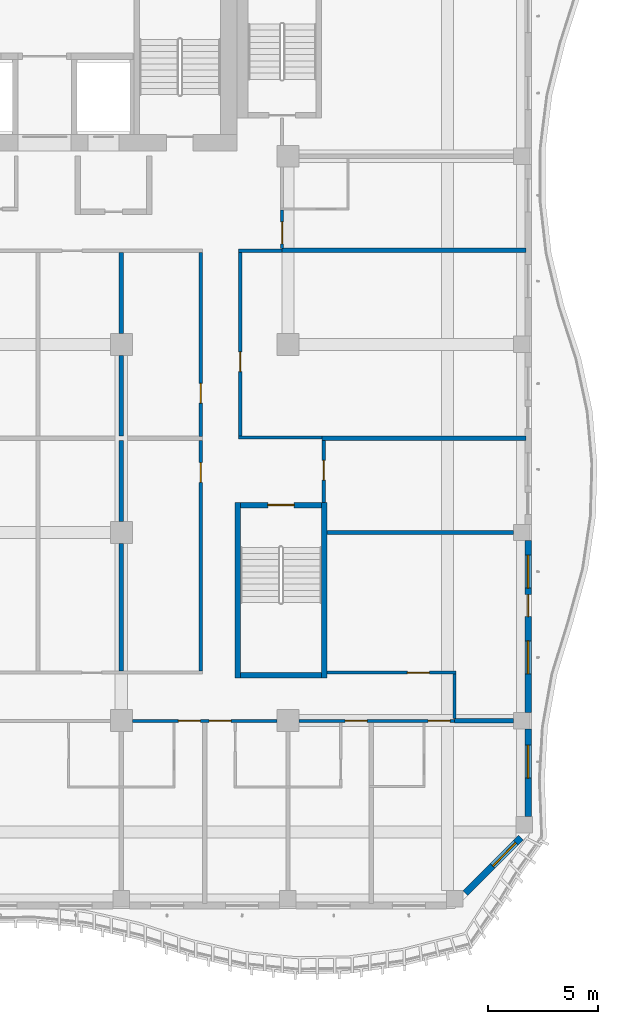
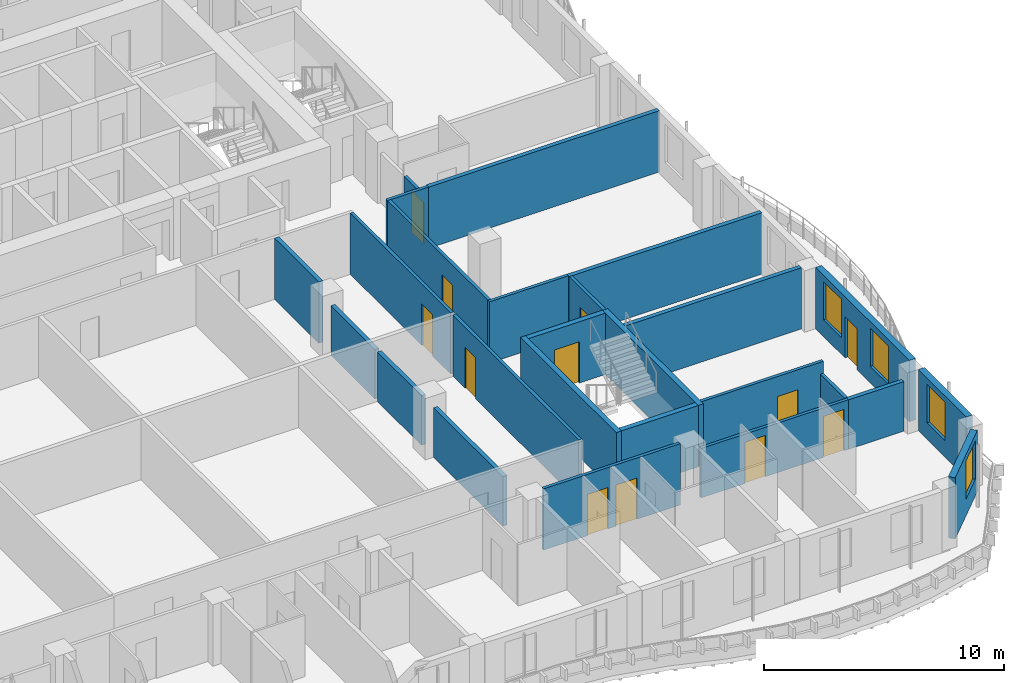
# One storey, part 5 of 21: 26 walls, 12 doors, 4 windows, 16 openings.
"""IFC4 building model written with IfcOpenShell, lengths in metres."""

from ifc_helpers import new_model, si_unit, direction, frame, frame_2d, origin, place, context, subcontext, project, spatial, rectangle, extrude, source, transform, mapped, material, layer, layer_set, type_object, element, fill, save


model = new_model("IFC4")

# Units and contexts
model_context = context("Model", 3, precision=1e-05, world=origin(), true_north=direction((0.0, 1.0)))
body_context = subcontext(model_context, "Body", "Model", "MODEL_VIEW")
ifc_project = project(units=[si_unit("LENGTHUNIT", "METRE"), si_unit("AREAUNIT", "SQUARE_METRE"), si_unit("VOLUMEUNIT", "CUBIC_METRE"), si_unit("PLANEANGLEUNIT", "RADIAN"), si_unit("MASSUNIT", "GRAM", prefix="KILO")], contexts=[model_context])

# Site, building, storey
site_placement = place(None, origin())
site = spatial("IfcSite", under=ifc_project, at=site_placement, CompositionType="ELEMENT")
building_placement = place(site_placement, origin())
building = spatial("IfcBuilding", under=site, at=building_placement, Name="Kilnfold Tower and Market Hall", CompositionType="ELEMENT")
storey_placement = place(building_placement, frame((0.0, 0.0, 210.10009765625)))
storey = spatial("IfcBuildingStorey", under=building, at=storey_placement, Name="L51", CompositionType="ELEMENT", Elevation=210.10009765625)

# Wall, openings, doors
ifc_material_1 = material(Name="Gypsum board on steel studs", Category="steel")
ifc_layer_1 = layer(ifc_material_1, 0.14990234375)
ifc_layer_set_1 = layer_set([ifc_layer_1], Name="Gypsum board on steel studs")
wall_type_1 = type_object("IfcWallType", Name="WALL CORRIDOR 150", PredefinedType="PARTITIONING", material=ifc_layer_set_1)
wall_1_placement = place(storey_placement, frame((13.0830078125, -17.699951171875, 0.0), z_axis=(0.0, 0.0, 1.0), x_axis=(1.0, 0.0, 0.0)))
wall_1 = element("IfcWall", 1, at=wall_1_placement, inside=storey, type_object=wall_type_1, Name="Partition LY31.5", PredefinedType="PARTITIONING", context=body_context, shape_type="SweptSolid", body=[
    extrude(rectangle(XDim=6.583984375, YDim=0.14990234375, at=frame_2d((3.2919921875, 0.0))), origin(), (0.0, 0.0, 1.0), 3.119873046875),
])
opening_1_placement = place(wall_1_placement, frame((2.10205078125, 0.0, 0.0)))
opening_1 = element("IfcOpeningElement", 2, at=opening_1_placement, cuts=wall_1, Name="Opening D1", PredefinedType="OPENING", context=body_context, shape_type="SweptSolid", body=[
    extrude(rectangle(XDim=1.0, YDim=2.10009765625, at=frame_2d((0.5, 1.050048828125))), frame((0.0, 0.0849609375, 0.0), z_axis=(0.0, -1.0, 0.0), x_axis=(1.0, 0.0, 0.0)), (0.0, 0.0, 1.0), 0.169921875),
])
opening_2_placement = place(wall_1_placement, frame((3.493896484375, 0.0, 0.0)))
opening_2 = element("IfcOpeningElement", 3, at=opening_2_placement, cuts=wall_1, Name="Opening D1", PredefinedType="OPENING", context=body_context, shape_type="SweptSolid", body=[
    extrude(rectangle(XDim=1.0, YDim=2.10009765625, at=frame_2d((0.5, 1.050048828125))), frame((0.0, 0.0849609375, 0.0), z_axis=(0.0, -1.0, 0.0), x_axis=(1.0, 0.0, 0.0)), (0.0, 0.0, 1.0), 0.169921875),
])
ifc_material_2 = material(Name="Timber veneer door leaf in steel frame", Category="steel")
door_type_1 = type_object("IfcDoorType", Name="DOOR ENTRY 1000 X2100", OperationType="NOTDEFINED", PredefinedType="DOOR", material=ifc_material_2)
door_1_placement = place(opening_1_placement, origin())
door_1 = element("IfcDoor", 4, at=door_1_placement, inside=storey, type_object=door_type_1, Name="Door D1", OperationType="SINGLE_SWING_RIGHT", OverallHeight=2.10009765625, OverallWidth=1.0, PredefinedType="DOOR", context=body_context, shape_type="SweptSolid", body=[
    extrude(rectangle(XDim=1.0, YDim=2.10009765625, at=frame_2d((0.5, 1.050048828125))), frame((0.0, 0.02490234375, 0.0), z_axis=(0.0, -1.0, 0.0), x_axis=(1.0, 0.0, 0.0)), (0.0, 0.0, 1.0), 0.050048828125),
])
fill(opening_1, door_1)
door_2_placement = place(opening_2_placement, origin())
door_2 = element("IfcDoor", 5, at=door_2_placement, inside=storey, type_object=door_type_1, Name="Door D1", OperationType="SINGLE_SWING_RIGHT", OverallHeight=2.10009765625, OverallWidth=1.0, PredefinedType="DOOR", context=body_context, shape_type="SweptSolid", body=[
    extrude(rectangle(XDim=1.0, YDim=2.10009765625, at=frame_2d((0.5, 1.050048828125))), frame((0.0, 0.02490234375, 0.0), z_axis=(0.0, -1.0, 0.0), x_axis=(1.0, 0.0, 0.0)), (0.0, 0.0, 1.0), 0.050048828125),
])
fill(opening_2, door_2)

wall_2_placement = place(storey_placement, frame((20.6669921875, -17.699951171875, 0.0), z_axis=(0.0, 0.0, 1.0), x_axis=(1.0, 0.0, 0.0)))
wall_2 = element("IfcWall", 6, at=wall_2_placement, inside=storey, type_object=wall_type_1, Name="Partition LY31.6", PredefinedType="PARTITIONING", context=body_context, shape_type="SweptSolid", body=[
    extrude(rectangle(XDim=7.0830078125, YDim=0.14990234375, at=frame_2d((3.54150390625, 0.0))), origin(), (0.0, 0.0, 1.0), 2.52001953125),
])
opening_3_placement = place(wall_2_placement, frame((2.10205078125, 0.0, 0.0)))
opening_3 = element("IfcOpeningElement", 7, at=opening_3_placement, cuts=wall_2, Name="Opening D1", PredefinedType="OPENING", context=body_context, shape_type="SweptSolid", body=[
    extrude(rectangle(XDim=1.0, YDim=2.10009765625, at=frame_2d((0.5, 1.050048828125))), frame((0.0, 0.0849609375, 0.0), z_axis=(0.0, -1.0, 0.0), x_axis=(1.0, 0.0, 0.0)), (0.0, 0.0, 1.0), 0.169921875),
])
opening_4_placement = place(wall_2_placement, frame((5.883056640625, 0.0, 0.0)))
opening_4 = element("IfcOpeningElement", 8, at=opening_4_placement, cuts=wall_2, Name="Opening D1", PredefinedType="OPENING", context=body_context, shape_type="SweptSolid", body=[
    extrude(rectangle(XDim=1.0, YDim=2.10009765625, at=frame_2d((0.5, 1.050048828125))), frame((0.0, 0.0849609375, 0.0), z_axis=(0.0, -1.0, 0.0), x_axis=(1.0, 0.0, 0.0)), (0.0, 0.0, 1.0), 0.169921875),
])
door_3_placement = place(opening_3_placement, origin())
door_3 = element("IfcDoor", 9, at=door_3_placement, inside=storey, type_object=door_type_1, Name="Door D1", OperationType="SINGLE_SWING_RIGHT", OverallHeight=2.10009765625, OverallWidth=1.0, PredefinedType="DOOR", context=body_context, shape_type="SweptSolid", body=[
    extrude(rectangle(XDim=1.0, YDim=2.10009765625, at=frame_2d((0.5, 1.050048828125))), frame((0.0, 0.02490234375, 0.0), z_axis=(0.0, -1.0, 0.0), x_axis=(1.0, 0.0, 0.0)), (0.0, 0.0, 1.0), 0.050048828125),
])
fill(opening_3, door_3)
door_4_placement = place(opening_4_placement, origin())
door_4 = element("IfcDoor", 10, at=door_4_placement, inside=storey, type_object=door_type_1, Name="Door D1", OperationType="SINGLE_SWING_RIGHT", OverallHeight=2.10009765625, OverallWidth=1.0, PredefinedType="DOOR", context=body_context, shape_type="SweptSolid", body=[
    extrude(rectangle(XDim=1.0, YDim=2.10009765625, at=frame_2d((0.5, 1.050048828125))), frame((0.0, 0.02490234375, 0.0), z_axis=(0.0, -1.0, 0.0), x_axis=(1.0, 0.0, 0.0)), (0.0, 0.0, 1.0), 0.050048828125),
])
fill(opening_4, door_4)

# Wall, opening, door
wall_3_placement = place(storey_placement, frame((19.89990234375, 3.80908203125, 0.0), z_axis=(0.0, 0.0, 1.0), x_axis=(0.0, 1.0, 0.0)))
wall_3 = element("IfcWall", 11, at=wall_3_placement, inside=storey, type_object=wall_type_1, Name="Partition LY31.18", PredefinedType="PARTITIONING", context=body_context, shape_type="SweptSolid", body=[
    extrude(rectangle(XDim=1.7509765625, YDim=0.14990234375, at=frame_2d((0.87548828125, 0.0))), origin(), (0.0, 0.0, 1.0), 2.52001953125),
])
opening_5_placement = place(wall_3_placement, frame((0.199951171875, 0.0, 0.0)))
opening_5 = element("IfcOpeningElement", 12, at=opening_5_placement, cuts=wall_3, Name="Opening D1", PredefinedType="OPENING", context=body_context, shape_type="SweptSolid", body=[
    extrude(rectangle(XDim=1.0, YDim=2.10009765625, at=frame_2d((0.5, 1.050048828125))), frame((0.0, 0.0849609375, 0.0), z_axis=(0.0, -1.0, 0.0), x_axis=(1.0, 0.0, 0.0)), (0.0, 0.0, 1.0), 0.169921875),
])
door_5_placement = place(opening_5_placement, origin())
door_5 = element("IfcDoor", 13, at=door_5_placement, inside=storey, type_object=door_type_1, Name="Door D1", OperationType="SINGLE_SWING_LEFT", OverallHeight=2.10009765625, OverallWidth=1.0, PredefinedType="DOOR", context=body_context, shape_type="SweptSolid", body=[
    extrude(rectangle(XDim=1.0, YDim=2.10009765625, at=frame_2d((0.5, 1.050048828125))), frame((0.0, 0.02490234375, 0.0), z_axis=(0.0, -1.0, 0.0), x_axis=(1.0, 0.0, 0.0)), (0.0, 0.0, 1.0), 0.050048828125),
])
fill(opening_5, door_5)

# Wall
wall_4_placement = place(storey_placement, frame((17.925048828125, 3.699951171875, 0.0), z_axis=(0.0, 0.0, 1.0), x_axis=(1.0, 0.0, 0.0)))
element("IfcWall", 14, at=wall_4_placement, inside=storey, type_object=wall_type_1, Name="Partition LY31.25", PredefinedType="PARTITIONING", context=body_context, shape_type="SweptSolid", body=[
    extrude(rectangle(XDim=1.974853515625, YDim=0.14990234375, at=frame_2d((0.9873046875, 0.0))), origin(), (0.0, 0.0, 1.0), 3.119873046875),
])

# Wall, opening, door
wall_5_placement = place(storey_placement, frame((18.0, -4.72509765625, 0.0), z_axis=(0.0, 0.0, 1.0), x_axis=(0.0, 1.0, 0.0)))
wall_5 = element("IfcWall", 15, at=wall_5_placement, inside=storey, type_object=wall_type_1, Name="Partition LY31.26", PredefinedType="PARTITIONING", context=body_context, shape_type="SweptSolid", body=[
    extrude(rectangle(XDim=8.35009765625, YDim=0.14990234375, at=frame_2d((4.175048828125, 0.0))), origin(), (0.0, 0.0, 1.0), 3.119873046875),
])
opening_6_placement = place(wall_5_placement, frame((2.9189453125, 0.0, 0.0)))
opening_6 = element("IfcOpeningElement", 16, at=opening_6_placement, cuts=wall_5, Name="Opening D2", PredefinedType="OPENING", context=body_context, shape_type="SweptSolid", body=[
    extrude(rectangle(XDim=0.89990234375, YDim=2.10009765625, at=frame_2d((0.449951171875, 1.050048828125))), frame((0.0, 0.0849609375, 0.0), z_axis=(0.0, -1.0, 0.0), x_axis=(1.0, 0.0, 0.0)), (0.0, 0.0, 1.0), 0.169921875),
])
ifc_material_3 = material(Name="Timber veneer door leaf in steel frame", Category="steel")
door_type_2 = type_object("IfcDoorType", Name="DOOR ROOM 900 X2100", OperationType="NOTDEFINED", PredefinedType="DOOR", material=ifc_material_3)
door_6_placement = place(opening_6_placement, origin())
door_6 = element("IfcDoor", 17, at=door_6_placement, inside=storey, type_object=door_type_2, Name="Door D2", OperationType="SINGLE_SWING_RIGHT", OverallHeight=2.10009765625, OverallWidth=0.89990234375, PredefinedType="DOOR", context=body_context, shape_type="SweptSolid", body=[
    extrude(rectangle(XDim=0.89990234375, YDim=2.10009765625, at=frame_2d((0.449951171875, 1.050048828125))), frame((0.0, 0.02490234375, 0.0), z_axis=(0.0, -1.0, 0.0), x_axis=(1.0, 0.0, 0.0)), (0.0, 0.0, 1.0), 0.050048828125),
])
fill(opening_6, door_6)

# Wall
wall_6_placement = place(storey_placement, frame((17.925048828125, -4.800048828125, 0.0), z_axis=(0.0, 0.0, 1.0), x_axis=(1.0, 0.0, 0.0)))
element("IfcWall", 18, at=wall_6_placement, inside=storey, type_object=wall_type_1, Name="Partition LY31.27", PredefinedType="PARTITIONING", context=body_context, shape_type="SweptSolid", body=[
    extrude(rectangle(XDim=3.802001953125, YDim=0.14990234375, at=frame_2d((1.90087890625, 0.0))), origin(), (0.0, 0.0, 1.0), 3.119873046875),
])

# Wall, opening, door
wall_7_placement = place(storey_placement, frame((21.800048828125, -7.75, 0.0), z_axis=(0.0, 0.0, 1.0), x_axis=(0.0, 1.0, 0.0)))
wall_7 = element("IfcWall", 19, at=wall_7_placement, inside=storey, type_object=wall_type_1, Name="Partition LY31.28", PredefinedType="PARTITIONING", context=body_context, shape_type="SweptSolid", body=[
    extrude(rectangle(XDim=2.81689453125, YDim=0.14990234375, at=frame_2d((1.408447265625, 0.0))), origin(), (0.0, 0.0, 1.0), 3.119873046875),
])
opening_7_placement = place(wall_7_placement, frame((1.009033203125, 0.0, 0.0)))
opening_7 = element("IfcOpeningElement", 20, at=opening_7_placement, cuts=wall_7, Name="Opening D2", PredefinedType="OPENING", context=body_context, shape_type="SweptSolid", body=[
    extrude(rectangle(XDim=0.89990234375, YDim=2.10009765625, at=frame_2d((0.449951171875, 1.050048828125))), frame((0.0, 0.0849609375, 0.0), z_axis=(0.0, -1.0, 0.0), x_axis=(1.0, 0.0, 0.0)), (0.0, 0.0, 1.0), 0.169921875),
])
door_7_placement = place(opening_7_placement, origin())
door_7 = element("IfcDoor", 21, at=door_7_placement, inside=storey, type_object=door_type_2, Name="Door D2", OperationType="SINGLE_SWING_LEFT", OverallHeight=2.10009765625, OverallWidth=0.89990234375, PredefinedType="DOOR", context=body_context, shape_type="SweptSolid", body=[
    extrude(rectangle(XDim=0.89990234375, YDim=2.10009765625, at=frame_2d((0.449951171875, 1.050048828125))), frame((0.0, 0.02490234375, 0.0), z_axis=(0.0, -1.0, 0.0), x_axis=(1.0, 0.0, 0.0)), (0.0, 0.0, 1.0), 0.050048828125),
])
fill(opening_7, door_7)

wall_8_placement = place(storey_placement, frame((21.949951171875, -15.5, 0.0), z_axis=(0.0, 0.0, 1.0), x_axis=(1.0, 0.0, 0.0)))
wall_8 = element("IfcWall", 22, at=wall_8_placement, inside=storey, type_object=wall_type_1, Name="Partition LY31.29", PredefinedType="PARTITIONING", context=body_context, shape_type="SweptSolid", body=[
    extrude(rectangle(XDim=5.875, YDim=0.14990234375, at=frame_2d((2.9375, 0.0))), origin(), (0.0, 0.0, 1.0), 3.119873046875),
])
opening_8_placement = place(wall_8_placement, frame((3.657958984375, 0.0, 0.0)))
opening_8 = element("IfcOpeningElement", 23, at=opening_8_placement, cuts=wall_8, Name="Opening D4", PredefinedType="OPENING", context=body_context, shape_type="SweptSolid", body=[
    extrude(rectangle(XDim=1.0, YDim=2.10009765625, at=frame_2d((0.5, 1.050048828125))), frame((0.0, 0.0849609375, 0.0), z_axis=(0.0, -1.0, 0.0), x_axis=(1.0, 0.0, 0.0)), (0.0, 0.0, 1.0), 0.169921875),
])
ifc_material_4 = material(Name="Timber veneer door leaf in steel frame", Category="steel")
door_type_3 = type_object("IfcDoorType", Name="DOOR SERVICE 1000 X2100", OperationType="NOTDEFINED", PredefinedType="DOOR", material=ifc_material_4)
door_8_placement = place(opening_8_placement, origin())
door_8 = element("IfcDoor", 24, at=door_8_placement, inside=storey, type_object=door_type_3, Name="Door D4", OperationType="SINGLE_SWING_LEFT", OverallHeight=2.10009765625, OverallWidth=1.0, PredefinedType="DOOR", context=body_context, shape_type="SweptSolid", body=[
    extrude(rectangle(XDim=1.0, YDim=2.10009765625, at=frame_2d((0.5, 1.050048828125))), frame((0.0, 0.02490234375, 0.0), z_axis=(0.0, -1.0, 0.0), x_axis=(1.0, 0.0, 0.0)), (0.0, 0.0, 1.0), 0.050048828125),
])
fill(opening_8, door_8)

# Wall
wall_9_placement = place(storey_placement, frame((27.75, -17.597900390625, 0.0), z_axis=(0.0, 0.0, 1.0), x_axis=(0.0, 1.0, 0.0)))
element("IfcWall", 25, at=wall_9_placement, inside=storey, type_object=wall_type_1, Name="Partition LY31.30", PredefinedType="PARTITIONING", context=body_context, shape_type="SweptSolid", body=[
    extrude(rectangle(XDim=2.02294921875, YDim=0.14990234375, at=frame_2d((1.011474609375, 0.0))), origin(), (0.0, 0.0, 1.0), 2.52001953125),
])

# Wall, opening, door
wall_10_placement = place(storey_placement, frame((16.199951171875, -4.7529296875, 0.0), z_axis=(0.0, 0.0, 1.0), x_axis=(0.0, 1.0, 0.0)))
wall_10 = element("IfcWall", 26, at=wall_10_placement, inside=storey, type_object=wall_type_1, Name="Partition LY31.37", PredefinedType="PARTITIONING", context=body_context, shape_type="SweptSolid", body=[
    extrude(rectangle(XDim=8.3779296875, YDim=0.14990234375, at=frame_2d((4.18896484375, 0.0))), origin(), (0.0, 0.0, 1.0), 3.119873046875),
])
opening_9_placement = place(wall_10_placement, frame((1.513916015625, 0.0, 0.0)))
opening_9 = element("IfcOpeningElement", 27, at=opening_9_placement, cuts=wall_10, Name="Opening D2", PredefinedType="OPENING", context=body_context, shape_type="SweptSolid", body=[
    extrude(rectangle(XDim=0.89990234375, YDim=2.10009765625, at=frame_2d((0.449951171875, 1.050048828125))), frame((0.0, 0.0849609375, 0.0), z_axis=(0.0, -1.0, 0.0), x_axis=(1.0, 0.0, 0.0)), (0.0, 0.0, 1.0), 0.169921875),
])
door_9_placement = place(opening_9_placement, origin())
door_9 = element("IfcDoor", 28, at=door_9_placement, inside=storey, type_object=door_type_2, Name="Door D2", OperationType="SINGLE_SWING_RIGHT", OverallHeight=2.10009765625, OverallWidth=0.89990234375, PredefinedType="DOOR", context=body_context, shape_type="SweptSolid", body=[
    extrude(rectangle(XDim=0.89990234375, YDim=2.10009765625, at=frame_2d((0.449951171875, 1.050048828125))), frame((0.0, 0.02490234375, 0.0), z_axis=(0.0, -1.0, 0.0), x_axis=(1.0, 0.0, 0.0)), (0.0, 0.0, 1.0), 0.050048828125),
])
fill(opening_9, door_9)

wall_11_placement = place(storey_placement, frame((16.199951171875, -15.425048828125, 0.0), z_axis=(0.0, 0.0, 1.0), x_axis=(0.0, 1.0, 0.0)))
wall_11 = element("IfcWall", 29, at=wall_11_placement, inside=storey, type_object=wall_type_1, Name="Partition LY31.41", PredefinedType="PARTITIONING", context=body_context, shape_type="SweptSolid", body=[
    extrude(rectangle(XDim=10.491943359375, YDim=0.14990234375, at=frame_2d((5.24609375, 0.0))), origin(), (0.0, 0.0, 1.0), 3.119873046875),
])
opening_10_placement = place(wall_11_placement, frame((8.583984375, 0.0, 0.0)))
opening_10 = element("IfcOpeningElement", 30, at=opening_10_placement, cuts=wall_11, Name="Opening D2", PredefinedType="OPENING", context=body_context, shape_type="SweptSolid", body=[
    extrude(rectangle(XDim=0.89990234375, YDim=2.10009765625, at=frame_2d((0.449951171875, 1.050048828125))), frame((0.0, 0.0849609375, 0.0), z_axis=(0.0, -1.0, 0.0), x_axis=(1.0, 0.0, 0.0)), (0.0, 0.0, 1.0), 0.169921875),
])
door_10_placement = place(opening_10_placement, origin())
door_10 = element("IfcDoor", 31, at=door_10_placement, inside=storey, type_object=door_type_2, Name="Door D2", OperationType="SINGLE_SWING_LEFT", OverallHeight=2.10009765625, OverallWidth=0.89990234375, PredefinedType="DOOR", context=body_context, shape_type="SweptSolid", body=[
    extrude(rectangle(XDim=0.89990234375, YDim=2.10009765625, at=frame_2d((0.449951171875, 1.050048828125))), frame((0.0, 0.02490234375, 0.0), z_axis=(0.0, -1.0, 0.0), x_axis=(1.0, 0.0, 0.0)), (0.0, 0.0, 1.0), 0.050048828125),
])
fill(opening_10, door_10)

# Walls
ifc_material_5 = material(Name="Gypsum board on steel studs", Category="steel")
ifc_layer_2 = layer(ifc_material_5, 0.199951171875)
ifc_layer_set_2 = layer_set([ifc_layer_2], Name="Gypsum board on steel studs")
wall_type_2 = type_object("IfcWallType", Name="WALL PARTY 200", PredefinedType="PARTITIONING", material=ifc_layer_set_2)
wall_12_placement = place(storey_placement, frame((27.751953125, -17.68798828125, 0.0), z_axis=(0.0, 0.0, 1.0), x_axis=(1.0, 0.0, 0.0)))
element("IfcWall", 32, at=wall_12_placement, inside=storey, type_object=wall_type_2, Name="Partition LY31.76", PredefinedType="PARTITIONING", context=body_context, shape_type="SweptSolid", body=[
    extrude(rectangle(XDim=2.673095703125, YDim=0.199951171875, at=frame_2d((1.33642578125, 0.0))), origin(), (0.0, 0.0, 1.0), 2.52001953125),
])
wall_13_placement = place(storey_placement, frame((19.902099609375, 3.718994140625, 0.0), z_axis=(0.0, 0.0, 1.0), x_axis=(1.0, 0.0, 0.0)))
element("IfcWall", 33, at=wall_13_placement, inside=storey, type_object=wall_type_2, Name="Partition LY31.87", PredefinedType="PARTITIONING", context=body_context, shape_type="SweptSolid", body=[
    extrude(rectangle(XDim=11.097900390625, YDim=0.199951171875, at=frame_2d((5.548828125, 0.0))), origin(), (0.0, 0.0, 1.0), 3.119873046875),
])
wall_14_placement = place(storey_placement, frame((21.72705078125, -4.843017578125, 0.0), z_axis=(0.0, 0.0, 1.0), x_axis=(1.0, 0.0, 0.0)))
element("IfcWall", 34, at=wall_14_placement, inside=storey, type_object=wall_type_2, Name="Partition LY31.93", PredefinedType="PARTITIONING", context=body_context, shape_type="SweptSolid", body=[
    extrude(rectangle(XDim=9.27294921875, YDim=0.199951171875, at=frame_2d((4.636474609375, 0.0))), origin(), (0.0, 0.0, 1.0), 3.119873046875),
])
wall_15_placement = place(storey_placement, frame((21.949951171875, -9.125, 0.0), z_axis=(0.0, 0.0, 1.0), x_axis=(1.0, 0.0, 0.0)))
element("IfcWall", 35, at=wall_15_placement, inside=storey, type_object=wall_type_2, Name="Partition LY31.94", PredefinedType="PARTITIONING", context=body_context, shape_type="SweptSolid", body=[
    extrude(rectangle(XDim=8.47509765625, YDim=0.199951171875, at=frame_2d((4.237548828125, 0.0))), origin(), (0.0, 0.0, 1.0), 3.119873046875),
])
wall_16_placement = place(storey_placement, frame((12.5830078125, -0.06201171875, 0.0), z_axis=(0.0, 0.0, 1.0), x_axis=(0.0, 1.0, 0.0)))
element("IfcWall", 36, at=wall_16_placement, inside=storey, type_object=wall_type_2, Name="Partition LY31.99", PredefinedType="PARTITIONING", context=body_context, shape_type="SweptSolid", body=[
    extrude(rectangle(XDim=3.68505859375, YDim=0.199951171875, at=frame_2d((1.842529296875, 0.0))), origin(), (0.0, 0.0, 1.0), 3.119873046875),
])
wall_17_placement = place(storey_placement, frame((12.5830078125, -4.742919921875, 0.0), z_axis=(0.0, 0.0, 1.0), x_axis=(0.0, 1.0, 0.0)))
element("IfcWall", 37, at=wall_17_placement, inside=storey, type_object=wall_type_2, Name="Partition LY31.100", PredefinedType="PARTITIONING", context=body_context, shape_type="SweptSolid", body=[
    extrude(rectangle(XDim=3.680908203125, YDim=0.199951171875, at=frame_2d((1.84033203125, 0.0))), origin(), (0.0, 0.0, 1.0), 2.52001953125),
])
wall_18_placement = place(storey_placement, frame((12.5830078125, -8.625, 0.0), z_axis=(0.0, 0.0, 1.0), x_axis=(0.0, 1.0, 0.0)))
element("IfcWall", 38, at=wall_18_placement, inside=storey, type_object=wall_type_2, Name="Partition LY31.104", PredefinedType="PARTITIONING", context=body_context, shape_type="SweptSolid", body=[
    extrude(rectangle(XDim=3.681884765625, YDim=0.199951171875, at=frame_2d((1.8408203125, 0.0))), origin(), (0.0, 0.0, 1.0), 2.52001953125),
])
wall_19_placement = place(storey_placement, frame((12.5830078125, -15.423095703125, 0.0), z_axis=(0.0, 0.0, 1.0), x_axis=(0.0, 1.0, 0.0)))
element("IfcWall", 39, at=wall_19_placement, inside=storey, type_object=wall_type_2, Name="Partition LY31.105", PredefinedType="PARTITIONING", context=body_context, shape_type="SweptSolid", body=[
    extrude(rectangle(XDim=5.798095703125, YDim=0.199951171875, at=frame_2d((2.89892578125, 0.0))), origin(), (0.0, 0.0, 1.0), 2.52001953125),
])
ifc_material_6 = material(Name="Concrete C60", Category="concrete")
ifc_layer_3 = layer(ifc_material_6, 0.25)
ifc_layer_set_3 = layer_set([ifc_layer_3], Name="Concrete C60")
wall_type_3 = type_object("IfcWallType", Name="CORE WALL 250 C60", PredefinedType="SHEAR", material=ifc_layer_set_3)
shared_shape_1 = source(origin(), body_context, "Body", "SweptSolid", [
    extrude(rectangle(XDim=3.699951171875, YDim=0.25, at=frame_2d((1.85009765625, 0.0))), origin(), (0.0, 0.0, 1.0), 3.119873046875),
])
wall_20_placement = place(storey_placement, frame((18.0, -15.625, 0.0), z_axis=(0.0, 0.0, 1.0), x_axis=(1.0, 0.0, 0.0)))
element("IfcWall", 40, at=wall_20_placement, inside=storey, type_object=wall_type_3, Name="Stair enclosure ST4", PredefinedType="SHEAR", context=body_context, shape_type="MappedRepresentation", body=[
    mapped(shared_shape_1, transform((0.0, 0.0, 0.0))),
])

# Wall, opening, door
wall_21_placement = place(storey_placement, frame((18.0, -7.875, 0.0), z_axis=(0.0, 0.0, 1.0), x_axis=(1.0, 0.0, 0.0)))
wall_21 = element("IfcWall", 41, at=wall_21_placement, inside=storey, type_object=wall_type_3, Name="Stair enclosure ST4", PredefinedType="SHEAR", context=body_context, shape_type="MappedRepresentation", body=[
    mapped(shared_shape_1, transform((0.0, 0.0, 0.0))),
])
opening_11_placement = place(wall_21_placement, frame((1.25, 0.0, 0.0)))
opening_11 = element("IfcOpeningElement", 42, at=opening_11_placement, cuts=wall_21, Name="Opening SD1", PredefinedType="OPENING", context=body_context, shape_type="SweptSolid", body=[
    extrude(rectangle(XDim=1.199951171875, YDim=2.10009765625, at=frame_2d((0.60009765625, 1.050048828125))), frame((0.0, 0.135009765625, 0.0), z_axis=(0.0, -1.0, 0.0), x_axis=(1.0, 0.0, 0.0)), (0.0, 0.0, 1.0), 0.27001953125),
])
ifc_material_7 = material(Name="Steel door set with fire-resisting leaf", Category="steel")
door_type_4 = type_object("IfcDoorType", Name="STAIR FLOOR DOOR 1200X2100", OperationType="NOTDEFINED", PredefinedType="DOOR", material=ifc_material_7)
door_11_placement = place(opening_11_placement, origin())
door_11 = element("IfcDoor", 43, at=door_11_placement, inside=storey, type_object=door_type_4, Name="Exit stair ST4 door", OperationType="DOUBLE_DOOR_SINGLE_SWING", OverallHeight=2.10009765625, OverallWidth=1.199951171875, PredefinedType="DOOR", context=body_context, shape_type="SweptSolid", body=[
    extrude(rectangle(XDim=1.199951171875, YDim=2.10009765625, at=frame_2d((0.60009765625, 1.050048828125))), frame((0.0, 0.02490234375, 0.0), z_axis=(0.0, -1.0, 0.0), x_axis=(1.0, 0.0, 0.0)), (0.0, 0.0, 1.0), 0.050048828125),
])
fill(opening_11, door_11)

# Walls
shared_shape_2 = source(origin(), body_context, "Body", "SweptSolid", [
    extrude(rectangle(XDim=8.0, YDim=0.25, at=frame_2d((4.0, 0.0))), origin(), (0.0, 0.0, 1.0), 3.119873046875),
])
for number, where, z_axis, x_axis, name in (
    (44, (17.875, -15.75, 0.0), (0.0, 0.0, 1.0), (0.0, 1.0, 0.0), "Stair enclosure ST4"),
    (45, (21.824951171875, -15.75, 0.0), (0.0, 0.0, 1.0), (0.0, 1.0, 0.0), "Stair enclosure ST4"),
):
    element("IfcWall", number, at=place(storey_placement, frame(where, z_axis=z_axis, x_axis=x_axis)), inside=storey, type_object=wall_type_3, Name=name, PredefinedType="SHEAR", context=body_context, shape_type="MappedRepresentation", body=[
        mapped(shared_shape_2, transform((0.0, 0.0, 0.0))),
    ])

# Wall, opening, window
ifc_material_8 = material(Name="Precast concrete C50/60", Category="concrete")
ifc_layer_4 = layer(ifc_material_8, 0.300048828125)
ifc_layer_set_4 = layer_set([ifc_layer_4], Name="Precast concrete C50/60")
wall_type_4 = type_object("IfcWallType", Name="PRECAST WALL 300", PredefinedType="SOLIDWALL", material=ifc_layer_set_4)
shared_shape_3 = source(origin(), body_context, "Body", "SweptSolid", [
    extrude(rectangle(XDim=3.571044921875, YDim=0.300048828125, at=frame_2d((1.78564453125, 0.0))), origin(), (0.0, 0.0, 1.0), 3.119873046875),
])
wall_22_placement = place(storey_placement, frame((28.243896484375, -25.5439453125, 0.0), z_axis=(0.0, 0.0, 1.0), x_axis=(0.707072595841, 0.707140964879, 0.0)))
wall_22 = element("IfcWall", 46, at=wall_22_placement, inside=storey, type_object=wall_type_4, Name="External wall L51 SE", PredefinedType="SOLIDWALL", context=body_context, shape_type="MappedRepresentation", body=[
    mapped(shared_shape_3, transform((0.0, 0.0, 0.0))),
])
opening_12_placement = place(wall_22_placement, frame((1.75, 0.0, 0.85009765625)))
opening_12 = element("IfcOpeningElement", 47, at=opening_12_placement, cuts=wall_22, Name="Opening W4", PredefinedType="OPENING", context=body_context, shape_type="SweptSolid", body=[
    extrude(rectangle(XDim=1.5, YDim=1.949951171875, at=frame_2d((0.75, 0.97509765625))), frame((0.0, 0.16015625, 0.0), z_axis=(0.0, -1.0, 0.0), x_axis=(1.0, 0.0, 0.0)), (0.0, 0.0, 1.0), 0.320068359375),
])
ifc_material_9 = material(Name="Aluminium frame and double glazing", Category="aluminium")
window_type = type_object("IfcWindowType", Name="WINDOW W4 1500X1950", PartitioningType="SINGLE_PANEL", PredefinedType="WINDOW", material=ifc_material_9)
window_1_placement = place(opening_12_placement, origin())
window_1 = element("IfcWindow", 48, at=window_1_placement, inside=storey, type_object=window_type, Name="Window W4 L51 SE-1", OverallHeight=1.949951171875, OverallWidth=1.5, PartitioningType="SINGLE_PANEL", PredefinedType="WINDOW", context=body_context, shape_type="SweptSolid", body=[
    extrude(rectangle(XDim=1.5, YDim=1.949951171875, at=frame_2d((0.75, 0.97509765625))), frame((0.0, 0.030029296875, 0.0), z_axis=(0.0, -1.0, 0.0), x_axis=(1.0, 0.0, 0.0)), (0.0, 0.0, 1.0), 0.06005859375),
])
fill(opening_12, window_1)

shared_shape_4 = source(origin(), body_context, "Body", "SweptSolid", [
    extrude(rectangle(XDim=3.994384765625, YDim=0.300048828125, at=frame_2d((1.9970703125, 0.0))), origin(), (0.0, 0.0, 1.0), 3.119873046875),
])
wall_23_placement = place(storey_placement, frame((31.10009765625, -22.056884765625, 0.0), z_axis=(0.0, 0.0, 1.0), x_axis=(0.0, 1.0, 0.0)))
wall_23 = element("IfcWall", 49, at=wall_23_placement, inside=storey, type_object=wall_type_4, Name="External wall L51 E", PredefinedType="SOLIDWALL", context=body_context, shape_type="MappedRepresentation", body=[
    mapped(shared_shape_4, transform((0.0, 0.0, 0.0))),
])
opening_13_placement = place(wall_23_placement, frame((1.75, 0.0, 0.85009765625)))
opening_13 = element("IfcOpeningElement", 50, at=opening_13_placement, cuts=wall_23, Name="Opening W4", PredefinedType="OPENING", context=body_context, shape_type="SweptSolid", body=[
    extrude(rectangle(XDim=1.5, YDim=1.949951171875, at=frame_2d((0.75, 0.97509765625))), frame((0.0, 0.16015625, 0.0), z_axis=(0.0, -1.0, 0.0), x_axis=(1.0, 0.0, 0.0)), (0.0, 0.0, 1.0), 0.320068359375),
])
window_2_placement = place(opening_13_placement, origin())
window_2 = element("IfcWindow", 51, at=window_2_placement, inside=storey, type_object=window_type, Name="Window W4 L51 E-1", OverallHeight=1.949951171875, OverallWidth=1.5, PartitioningType="SINGLE_PANEL", PredefinedType="WINDOW", context=body_context, shape_type="SweptSolid", body=[
    extrude(rectangle(XDim=1.5, YDim=1.949951171875, at=frame_2d((0.75, 0.97509765625))), frame((0.0, 0.030029296875, 0.0), z_axis=(0.0, -1.0, 0.0), x_axis=(1.0, 0.0, 0.0)), (0.0, 0.0, 1.0), 0.06005859375),
])
fill(opening_13, window_2)

# Wall, openings, door, windows
shared_shape_5 = source(origin(), body_context, "Body", "SweptSolid", [
    extrude(rectangle(XDim=7.8125, YDim=0.300048828125, at=frame_2d((3.90625, 0.0))), origin(), (0.0, 0.0, 1.0), 3.119873046875),
])
wall_24_placement = place(storey_placement, frame((31.10009765625, -17.3125, 0.0), z_axis=(0.0, 0.0, 1.0), x_axis=(0.0, 1.0, 0.0)))
wall_24 = element("IfcWall", 52, at=wall_24_placement, inside=storey, type_object=wall_type_4, Name="External wall L51 E", PredefinedType="SOLIDWALL", context=body_context, shape_type="MappedRepresentation", body=[
    mapped(shared_shape_5, transform((0.0, 0.0, 0.0))),
])
opening_14_placement = place(wall_24_placement, frame((1.75, 0.0, 0.85009765625)))
opening_14 = element("IfcOpeningElement", 53, at=opening_14_placement, cuts=wall_24, Name="Opening W4", PredefinedType="OPENING", context=body_context, shape_type="SweptSolid", body=[
    extrude(rectangle(XDim=1.5, YDim=1.949951171875, at=frame_2d((0.75, 0.97509765625))), frame((0.0, 0.16015625, 0.0), z_axis=(0.0, -1.0, 0.0), x_axis=(1.0, 0.0, 0.0)), (0.0, 0.0, 1.0), 0.320068359375),
])
opening_15_placement = place(wall_24_placement, frame((5.65625, 0.0, 0.85009765625)))
opening_15 = element("IfcOpeningElement", 54, at=opening_15_placement, cuts=wall_24, Name="Opening W4", PredefinedType="OPENING", context=body_context, shape_type="SweptSolid", body=[
    extrude(rectangle(XDim=1.5, YDim=1.949951171875, at=frame_2d((0.75, 0.97509765625))), frame((0.0, 0.16015625, 0.0), z_axis=(0.0, -1.0, 0.0), x_axis=(1.0, 0.0, 0.0)), (0.0, 0.0, 1.0), 0.320068359375),
])
opening_16_placement = place(wall_24_placement, frame((4.356201171875, 0.0, 0.0)))
opening_16 = element("IfcOpeningElement", 55, at=opening_16_placement, cuts=wall_24, Name="Opening BD1", PredefinedType="OPENING", context=body_context, shape_type="SweptSolid", body=[
    extrude(rectangle(XDim=1.0, YDim=2.10009765625, at=frame_2d((0.5, 1.050048828125))), frame((0.0, 0.16015625, 0.0), z_axis=(0.0, -1.0, 0.0), x_axis=(1.0, 0.0, 0.0)), (0.0, 0.0, 1.0), 0.320068359375),
])
ifc_material_10 = material(Name="Aluminium frame and double glazing", Category="aluminium")
door_type_5 = type_object("IfcDoorType", Name="BALCONY DOOR 1000X2100", OperationType="NOTDEFINED", PredefinedType="DOOR", material=ifc_material_10)
door_12_placement = place(opening_16_placement, origin())
door_12 = element("IfcDoor", 56, at=door_12_placement, inside=storey, type_object=door_type_5, Name="Balcony door BD1 L51 E-2", OperationType="SINGLE_SWING_RIGHT", OverallHeight=2.10009765625, OverallWidth=1.0, PredefinedType="DOOR", context=body_context, shape_type="SweptSolid", body=[
    extrude(rectangle(XDim=1.0, YDim=2.10009765625, at=frame_2d((0.5, 1.050048828125))), frame((0.0, 0.02490234375, 0.0), z_axis=(0.0, -1.0, 0.0), x_axis=(1.0, 0.0, 0.0)), (0.0, 0.0, 1.0), 0.050048828125),
])
fill(opening_16, door_12)
window_3_placement = place(opening_14_placement, origin())
window_3 = element("IfcWindow", 57, at=window_3_placement, inside=storey, type_object=window_type, Name="Window W4 L51 E-1", OverallHeight=1.949951171875, OverallWidth=1.5, PartitioningType="SINGLE_PANEL", PredefinedType="WINDOW", context=body_context, shape_type="SweptSolid", body=[
    extrude(rectangle(XDim=1.5, YDim=1.949951171875, at=frame_2d((0.75, 0.97509765625))), frame((0.0, 0.030029296875, 0.0), z_axis=(0.0, -1.0, 0.0), x_axis=(1.0, 0.0, 0.0)), (0.0, 0.0, 1.0), 0.06005859375),
])
fill(opening_14, window_3)
window_4_placement = place(opening_15_placement, origin())
window_4 = element("IfcWindow", 58, at=window_4_placement, inside=storey, type_object=window_type, Name="Window W4 L51 E-2", OverallHeight=1.949951171875, OverallWidth=1.5, PartitioningType="SINGLE_PANEL", PredefinedType="WINDOW", context=body_context, shape_type="SweptSolid", body=[
    extrude(rectangle(XDim=1.5, YDim=1.949951171875, at=frame_2d((0.75, 0.97509765625))), frame((0.0, 0.030029296875, 0.0), z_axis=(0.0, -1.0, 0.0), x_axis=(1.0, 0.0, 0.0)), (0.0, 0.0, 1.0), 0.06005859375),
])
fill(opening_15, window_4)

save(model, "model.ifc")
